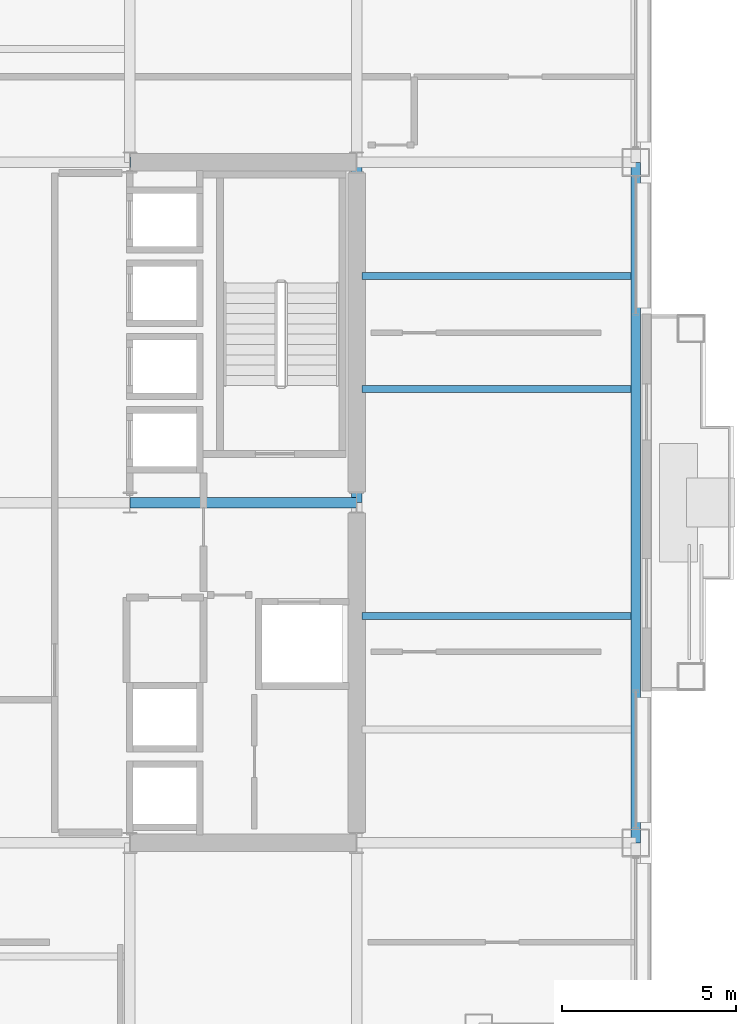
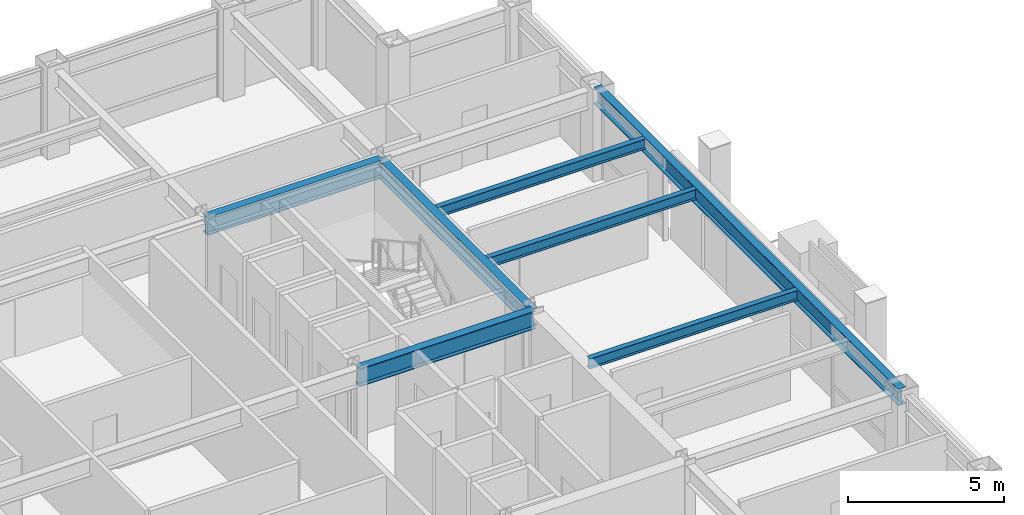
# One storey, part 15 of 29: 7 beams.
"""IFC4 building model written with IfcOpenShell, lengths in metres."""

from ifc_helpers import new_model, si_unit, direction, frame, origin, origin_2d, place, context, subcontext, project, spatial, i_section, extrude, material, material_profile, profile_set, type_object, element, save


model = new_model("IFC4")

# Units and contexts
model_context = context("Model", 3, precision=1e-05, world=origin(), true_north=direction((0.0, 1.0)))
body_context = subcontext(model_context, "Body", "Model", "MODEL_VIEW")
ifc_project = project(units=[si_unit("LENGTHUNIT", "METRE"), si_unit("AREAUNIT", "SQUARE_METRE"), si_unit("VOLUMEUNIT", "CUBIC_METRE"), si_unit("PLANEANGLEUNIT", "RADIAN"), si_unit("MASSUNIT", "GRAM", prefix="KILO")], contexts=[model_context])

# Site, building, storey
site_placement = place(None, origin())
site = spatial("IfcSite", under=ifc_project, at=site_placement, CompositionType="ELEMENT")
building_placement = place(site_placement, origin())
building = spatial("IfcBuilding", under=site, at=building_placement, Name="Brelmoor Portico Tower", CompositionType="ELEMENT")
storey_placement = place(building_placement, frame((0.0, 0.0, 124.199951171875)))
storey = spatial("IfcBuildingStorey", under=building, at=storey_placement, Name="L32", CompositionType="ELEMENT", Elevation=124.199951171875)

# Beams
ifc_material = material(Name="Steel Q355B", Category="steel")
ifc_material_profile_1 = material_profile(ifc_material, i_section(OverallWidth=0.199951171875, OverallDepth=0.39990234375, WebThickness=0.008056640625, FlangeThickness=0.012939453125, at=origin_2d()), Name="HN 400x200x8x13")
ifc_profile_set_1 = profile_set([ifc_material_profile_1], Name="Steel Q355B")
beam_type_1 = type_object("IfcBeamType", Name="BM-JS-400", PredefinedType="JOIST", material=ifc_profile_set_1)
for number, where, z_axis, x_axis, name in (
    (1, (14.699951171875, -3.25, 3.199951171875), (1.0, 0.0, 0.0), (0.0, 1.0, 0.0), "L32 Secondary Wing Joist JS-E10"),
    (2, (14.699951171875, 3.25, 3.199951171875), (1.0, 0.0, 0.0), (0.0, 1.0, 0.0), "L32 Secondary Wing Joist JS-E11"),
    (3, (14.699951171875, 6.5, 3.199951171875), (1.0, 0.0, 0.0), (0.0, 1.0, 0.0), "L32 Secondary Wing Joist JS-E12"),
):
    element("IfcBeam", number, at=place(storey_placement, frame(where, z_axis=z_axis, x_axis=x_axis)), inside=storey, type_object=beam_type_1, Name=name, PredefinedType="JOIST", context=body_context, shape_type="SweptSolid", body=[
        extrude(i_section(OverallWidth=0.199951171875, OverallDepth=0.39990234375, WebThickness=0.008056640625, FlangeThickness=0.012939453125, at=origin_2d()), origin(), (0.0, 0.0, 1.0), 7.7099609375),
    ])
ifc_material_profile_2 = material_profile(ifc_material, i_section(OverallWidth=0.300048828125, OverallDepth=0.699951171875, WebThickness=0.012939453125, FlangeThickness=0.02392578125, at=origin_2d()), Name="HN 700x300x13x24")
ifc_profile_set_2 = profile_set([ifc_material_profile_2], Name="Steel Q355B")
beam_type_2 = type_object("IfcBeamType", Name="BM-PG-700", PredefinedType="BEAM", material=ifc_profile_set_2)
beam_1_placement = place(storey_placement, frame((14.550048828125, 0.0, 3.050048828125), z_axis=(0.0, 1.0, 0.0), x_axis=(-1.0, 0.0, 0.0)))
element("IfcBeam", 4, at=beam_1_placement, inside=storey, type_object=beam_type_2, Name="L32 Primary Floor Girder PG-12", PredefinedType="BEAM", context=body_context, shape_type="SweptSolid", body=[
    extrude(i_section(OverallWidth=0.300048828125, OverallDepth=0.699951171875, WebThickness=0.012939453125, FlangeThickness=0.02392578125, at=origin_2d()), origin(), (0.0, 0.0, 1.0), 9.75),
])
for number, where, z_axis, x_axis, name in (
    (5, (8.050048828125, 0.0, 3.050048828125), (1.0, 0.0, 0.0), (0.0, 1.0, 0.0), "L32 Primary Floor Girder PG-21"),
    (6, (8.050048828125, 9.75, 3.050048828125), (1.0, 0.0, 0.0), (0.0, 1.0, 0.0), "L32 Primary Floor Girder PG-25"),
):
    element("IfcBeam", number, at=place(storey_placement, frame(where, z_axis=z_axis, x_axis=x_axis)), inside=storey, type_object=beam_type_2, Name=name, PredefinedType="BEAM", context=body_context, shape_type="SweptSolid", body=[
        extrude(i_section(OverallWidth=0.300048828125, OverallDepth=0.699951171875, WebThickness=0.012939453125, FlangeThickness=0.02392578125, at=origin_2d()), origin(), (0.0, 0.0, 1.0), 6.5),
    ])
ifc_material_profile_3 = material_profile(ifc_material, i_section(OverallWidth=0.280029296875, OverallDepth=0.64990234375, WebThickness=0.012939453125, FlangeThickness=0.02197265625, at=origin_2d()), Name="HN 650x280x13x22")
ifc_profile_set_3 = profile_set([ifc_material_profile_3], Name="Steel Q355B")
beam_type_3 = type_object("IfcBeamType", Name="BM-SP-650", PredefinedType="SPANDREL", material=ifc_profile_set_3)
beam_2_placement = place(storey_placement, frame((22.550048828125, -9.75, 3.074951171875), z_axis=(0.0, 1.0, 0.0), x_axis=(-1.0, 0.0, 0.0)))
element("IfcBeam", 7, at=beam_2_placement, inside=storey, type_object=beam_type_3, Name="L32 Perimeter Spandrel Beam SP-23", PredefinedType="SPANDREL", context=body_context, shape_type="SweptSolid", body=[
    extrude(i_section(OverallWidth=0.280029296875, OverallDepth=0.64990234375, WebThickness=0.012939453125, FlangeThickness=0.02197265625, at=origin_2d()), origin(), (0.0, 0.0, 1.0), 19.5),
])

save(model, "model.ifc")
